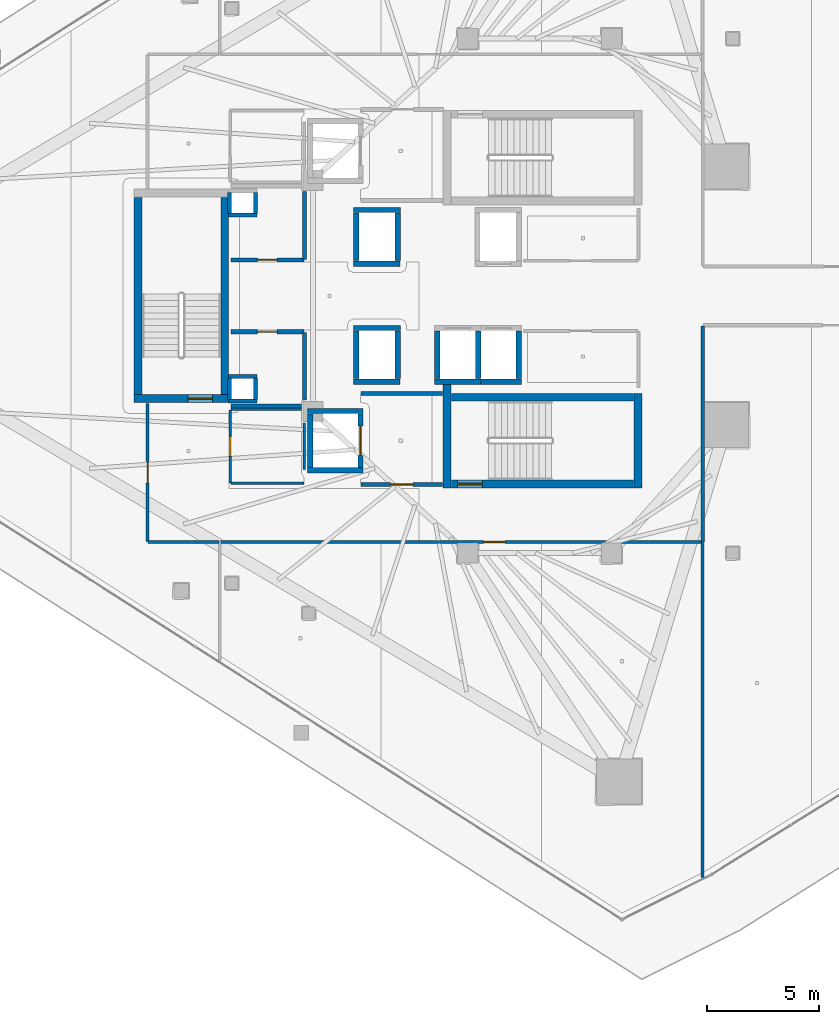
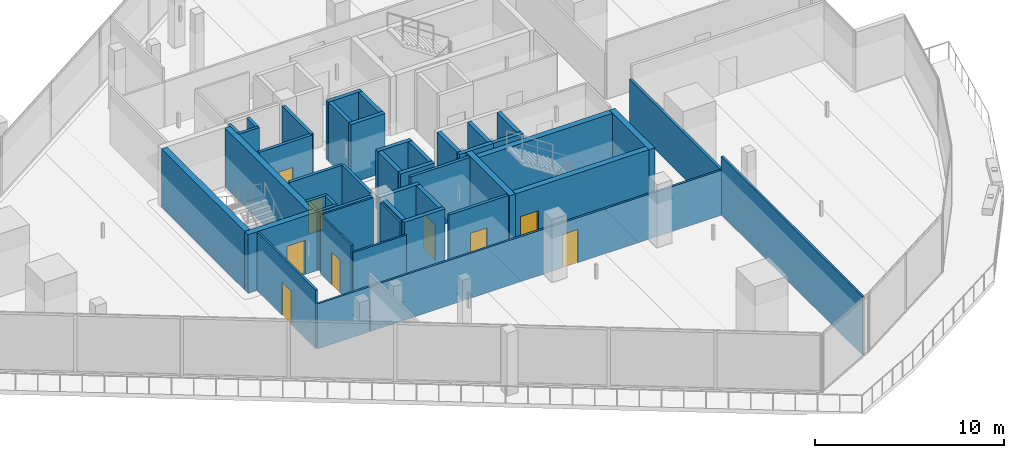
# One storey, part 25 of 36: 47 walls, 9 doors, 9 openings.
"""IFC4 building model written with IfcOpenShell, lengths in metres."""

from ifc_helpers import new_model, si_unit, direction, frame, frame_2d, origin, place, context, subcontext, project, spatial, rectangle, extrude, material, layer, layer_set, type_object, element, fill, save


model = new_model("IFC4")

# Units and contexts
model_context = context("Model", 3, precision=1e-05, world=origin(), true_north=direction((0.0, 1.0)))
body_context = subcontext(model_context, "Body", "Model", "MODEL_VIEW")
ifc_project = project(units=[si_unit("LENGTHUNIT", "METRE"), si_unit("AREAUNIT", "SQUARE_METRE"), si_unit("VOLUMEUNIT", "CUBIC_METRE"), si_unit("PLANEANGLEUNIT", "RADIAN"), si_unit("MASSUNIT", "GRAM", prefix="KILO")], contexts=[model_context])

# Site, building, storey
site_placement = place(None, origin())
site = spatial("IfcSite", under=ifc_project, at=site_placement, CompositionType="ELEMENT")
building_placement = place(site_placement, origin())
building = spatial("IfcBuilding", under=site, at=building_placement, Name="Qorvath Tower", CompositionType="ELEMENT")
storey_placement = place(building_placement, frame((0.0, 0.0, 192.89990234375)))
storey = spatial("IfcBuildingStorey", under=building, at=storey_placement, Name="L44", CompositionType="ELEMENT", Elevation=192.89990234375)

# Walls
ifc_material_1 = material(Name="Gypsum shaftliner on steel studs", Category="steel")
ifc_layer_1 = layer(ifc_material_1, 0.179931640625)
ifc_layer_set_1 = layer_set([ifc_layer_1], Name="FW-LOBBY")
wall_type_1 = type_object("IfcWallType", Name="FW-LOBBY", PredefinedType="PARTITIONING", material=ifc_layer_set_1)
wall_1_placement = place(storey_placement, frame((-32.989990234375, 3.594970703125, 0.0), z_axis=(0.0, 0.0, 1.0), x_axis=(-1.0, 0.0, 0.0)))
element("IfcWall", 1, at=wall_1_placement, inside=storey, type_object=wall_type_1, Name="MEP Riser Shaft Enclosure Wall N-L44-S", PredefinedType="PARTITIONING", context=body_context, shape_type="SweptSolid", body=[
    extrude(rectangle(XDim=1.27001953125, YDim=0.179931640625, at=frame_2d((0.635009765625, 0.0))), origin(), (0.0, 0.0, 1.0), 3.780029296875),
])
for number, where, z_axis, x_axis, name in (
    (2, (-34.205078125, 3.659912109375, 0.0), (0.0, 0.0, 1.0), (0.0, 1.0, 0.0), "MEP Riser Shaft Enclosure Wall N-L44-W"),
    (3, (-33.044921875, 4.610107421875, 0.0), (0.0, 0.0, 1.0), (0.0, -1.0, 0.0), "MEP Riser Shaft Enclosure Wall N-L44-E"),
):
    element("IfcWall", number, at=place(storey_placement, frame(where, z_axis=z_axis, x_axis=x_axis)), inside=storey, type_object=wall_type_1, Name=name, PredefinedType="PARTITIONING", context=body_context, shape_type="SweptSolid", body=[
        extrude(rectangle(XDim=0.9501953125, YDim=0.179931640625, at=frame_2d((0.47509765625, 0.0))), origin(), (0.0, 0.0, 1.0), 3.780029296875),
    ])
for number, where, z_axis, x_axis, name in (
    (4, (-32.989990234375, -4.675048828125, 0.0), (0.0, 0.0, 1.0), (-1.0, 0.0, 0.0), "MEP Riser Shaft Enclosure Wall S-L44-S"),
    (5, (-34.260009765625, -3.594970703125, 0.0), (0.0, 0.0, 1.0), (1.0, 0.0, 0.0), "MEP Riser Shaft Enclosure Wall S-L44-N"),
):
    element("IfcWall", number, at=place(storey_placement, frame(where, z_axis=z_axis, x_axis=x_axis)), inside=storey, type_object=wall_type_1, Name=name, PredefinedType="PARTITIONING", context=body_context, shape_type="SweptSolid", body=[
        extrude(rectangle(XDim=1.27001953125, YDim=0.179931640625, at=frame_2d((0.635009765625, 0.0))), origin(), (0.0, 0.0, 1.0), 3.780029296875),
    ])
for number, where, z_axis, x_axis, name in (
    (6, (-34.205078125, -4.610107421875, 0.0), (0.0, 0.0, 1.0), (0.0, 1.0, 0.0), "MEP Riser Shaft Enclosure Wall S-L44-W"),
    (7, (-33.044921875, -3.659912109375, 0.0), (0.0, 0.0, 1.0), (0.0, -1.0, 0.0), "MEP Riser Shaft Enclosure Wall S-L44-E"),
):
    element("IfcWall", number, at=place(storey_placement, frame(where, z_axis=z_axis, x_axis=x_axis)), inside=storey, type_object=wall_type_1, Name=name, PredefinedType="PARTITIONING", context=body_context, shape_type="SweptSolid", body=[
        extrude(rectangle(XDim=0.9501953125, YDim=0.179931640625, at=frame_2d((0.47509765625, 0.0))), origin(), (0.0, 0.0, 1.0), 3.780029296875),
    ])

# Wall, opening, door
wall_2_placement = place(storey_placement, frame((-28.35498046875, -8.39990234375, 0.0), z_axis=(0.0, 0.0, 1.0), x_axis=(1.0, 0.0, 0.0)))
wall_2 = element("IfcWall", 8, at=wall_2_placement, inside=storey, type_object=wall_type_1, Name="Interior Partition IW-T1-L44-003", PredefinedType="PARTITIONING", context=body_context, shape_type="SweptSolid", body=[
    extrude(rectangle(XDim=3.6220703125, YDim=0.179931640625, at=frame_2d((1.81103515625, 0.0))), origin(), (0.0, 0.0, 1.0), 3.780029296875),
])
opening_1_placement = place(wall_2_placement, frame((1.31103515625, 0.0, 0.0)))
opening_1 = element("IfcOpeningElement", 9, at=opening_1_placement, cuts=wall_2, Name="Opening D-T1-L44-13", PredefinedType="OPENING", context=body_context, shape_type="SweptSolid", body=[
    extrude(rectangle(XDim=1.0, YDim=2.14990234375, at=frame_2d((0.5, 1.074951171875))), frame((0.0, 0.10009765625, 0.0), z_axis=(0.0, -1.0, 0.0), x_axis=(1.0, 0.0, 0.0)), (0.0, 0.0, 1.0), 0.199951171875),
])
ifc_material_2 = material(Name="Painted galvanised hollow metal", Category="steel")
door_type_1 = type_object("IfcDoorType", Name="FD-60", OperationType="NOTDEFINED", PredefinedType="DOOR", material=ifc_material_2)
door_1_placement = place(opening_1_placement, origin())
door_1 = element("IfcDoor", 10, at=door_1_placement, inside=storey, type_object=door_type_1, Name="Lobby Fire Service Elevator South Door D-T1-L44-13", OperationType="SINGLE_SWING_LEFT", OverallHeight=2.14990234375, OverallWidth=1.0, PredefinedType="DOOR", context=body_context, shape_type="SweptSolid", body=[
    extrude(rectangle(XDim=1.0, YDim=2.14990234375, at=frame_2d((0.5, 1.074951171875))), frame((0.0, 0.02490234375, 0.0), z_axis=(0.0, -1.0, 0.0), x_axis=(1.0, 0.0, 0.0)), (0.0, 0.0, 1.0), 0.050048828125),
])
fill(opening_1, door_1)

# Wall
wall_3_placement = place(storey_placement, frame((-24.73291015625, -4.35009765625, 0.0), z_axis=(0.0, 0.0, 1.0), x_axis=(-1.0, 0.0, 0.0)))
element("IfcWall", 11, at=wall_3_placement, inside=storey, type_object=wall_type_1, Name="Interior Partition IW-T1-L44-004", PredefinedType="PARTITIONING", context=body_context, shape_type="SweptSolid", body=[
    extrude(rectangle(XDim=3.6220703125, YDim=0.179931640625, at=frame_2d((1.81103515625, 0.0))), origin(), (0.0, 0.0, 1.0), 3.780029296875),
])

# Wall, opening, door
wall_4_placement = place(storey_placement, frame((-34.15478515625, 1.60009765625, 0.0), z_axis=(0.0, 0.0, 1.0), x_axis=(1.0, 0.0, 0.0)))
wall_4 = element("IfcWall", 12, at=wall_4_placement, inside=storey, type_object=wall_type_1, Name="Interior Partition IW-T1-L44-017", PredefinedType="PARTITIONING", context=body_context, shape_type="SweptSolid", body=[
    extrude(rectangle(XDim=3.25, YDim=0.179931640625, at=frame_2d((1.625, 0.0))), origin(), (0.0, 0.0, 1.0), 3.780029296875),
])
opening_2_placement = place(wall_4_placement, frame((1.18505859375, 0.0, 0.0)))
opening_2 = element("IfcOpeningElement", 13, at=opening_2_placement, cuts=wall_4, Name="Opening D-T1-L44-05", PredefinedType="OPENING", context=body_context, shape_type="SweptSolid", body=[
    extrude(rectangle(XDim=0.8798828125, YDim=2.10009765625, at=frame_2d((0.43994140625, 1.050048828125))), frame((0.0, 0.10009765625, 0.0), z_axis=(0.0, -1.0, 0.0), x_axis=(1.0, 0.0, 0.0)), (0.0, 0.0, 1.0), 0.199951171875),
])
ifc_material_3 = material(Name="Painted galvanised hollow metal", Category="steel")
door_type_2 = type_object("IfcDoorType", Name="FD-60N", OperationType="NOTDEFINED", PredefinedType="DOOR", material=ifc_material_3)
door_2_placement = place(opening_2_placement, origin())
door_2 = element("IfcDoor", 14, at=door_2_placement, inside=storey, type_object=door_type_2, Name="Core cleaner and custodial room L44 Door D-T1-L44-05", OperationType="SINGLE_SWING_LEFT", OverallHeight=2.10009765625, OverallWidth=0.8798828125, PredefinedType="DOOR", context=body_context, shape_type="SweptSolid", body=[
    extrude(rectangle(XDim=0.8798828125, YDim=2.10009765625, at=frame_2d((0.43994140625, 1.050048828125))), frame((0.0, 0.02490234375, 0.0), z_axis=(0.0, -1.0, 0.0), x_axis=(1.0, 0.0, 0.0)), (0.0, 0.0, 1.0), 0.050048828125),
])
fill(opening_2, door_2)

# Walls
wall_5_placement = place(storey_placement, frame((-30.8798828125, 1.625, 0.0), z_axis=(0.0, 0.0, 1.0), x_axis=(0.0, 1.0, 0.0)))
element("IfcWall", 15, at=wall_5_placement, inside=storey, type_object=wall_type_1, Name="Interior Partition IW-T1-L44-018", PredefinedType="PARTITIONING", context=body_context, shape_type="SweptSolid", body=[
    extrude(rectangle(XDim=3.010009765625, YDim=0.179931640625, at=frame_2d((1.5048828125, 0.0))), origin(), (0.0, 0.0, 1.0), 3.780029296875),
])
wall_6_placement = place(storey_placement, frame((-34.15478515625, -4.89990234375, 0.0), z_axis=(0.0, 0.0, 1.0), x_axis=(1.0, 0.0, 0.0)))
element("IfcWall", 16, at=wall_6_placement, inside=storey, type_object=wall_type_1, Name="Interior Partition IW-T1-L44-020", PredefinedType="PARTITIONING", context=body_context, shape_type="SweptSolid", body=[
    extrude(rectangle(XDim=3.139892578125, YDim=0.179931640625, at=frame_2d((1.56982421875, 0.0))), origin(), (0.0, 0.0, 1.0), 3.780029296875),
])
wall_7_placement = place(storey_placement, frame((-30.8798828125, -4.635009765625, 0.0), z_axis=(0.0, 0.0, 1.0), x_axis=(0.0, 1.0, 0.0)))
element("IfcWall", 17, at=wall_7_placement, inside=storey, type_object=wall_type_1, Name="Interior Partition IW-T1-L44-021", PredefinedType="PARTITIONING", context=body_context, shape_type="SweptSolid", body=[
    extrude(rectangle(XDim=3.010009765625, YDim=0.179931640625, at=frame_2d((1.5048828125, 0.0))), origin(), (0.0, 0.0, 1.0), 3.780029296875),
])

# Wall, opening, door
wall_8_placement = place(storey_placement, frame((-30.90478515625, -1.60009765625, 0.0), z_axis=(0.0, 0.0, 1.0), x_axis=(-1.0, 0.0, 0.0)))
wall_8 = element("IfcWall", 18, at=wall_8_placement, inside=storey, type_object=wall_type_1, Name="Interior Partition IW-T1-L44-022", PredefinedType="PARTITIONING", context=body_context, shape_type="SweptSolid", body=[
    extrude(rectangle(XDim=3.25, YDim=0.179931640625, at=frame_2d((1.625, 0.0))), origin(), (0.0, 0.0, 1.0), 3.780029296875),
])
opening_3_placement = place(wall_8_placement, frame((1.18505859375, 0.0, 0.0)))
opening_3 = element("IfcOpeningElement", 19, at=opening_3_placement, cuts=wall_8, Name="Opening D-T1-L44-06", PredefinedType="OPENING", context=body_context, shape_type="SweptSolid", body=[
    extrude(rectangle(XDim=0.8798828125, YDim=2.10009765625, at=frame_2d((0.43994140625, 1.050048828125))), frame((0.0, 0.10009765625, 0.0), z_axis=(0.0, -1.0, 0.0), x_axis=(1.0, 0.0, 0.0)), (0.0, 0.0, 1.0), 0.199951171875),
])
door_3_placement = place(opening_3_placement, origin())
door_3 = element("IfcDoor", 20, at=door_3_placement, inside=storey, type_object=door_type_2, Name="Core electrical room L44 Door D-T1-L44-06", OperationType="SINGLE_SWING_RIGHT", OverallHeight=2.10009765625, OverallWidth=0.8798828125, PredefinedType="DOOR", context=body_context, shape_type="SweptSolid", body=[
    extrude(rectangle(XDim=0.8798828125, YDim=2.10009765625, at=frame_2d((0.43994140625, 1.050048828125))), frame((0.0, 0.02490234375, 0.0), z_axis=(0.0, -1.0, 0.0), x_axis=(1.0, 0.0, 0.0)), (0.0, 0.0, 1.0), 0.050048828125),
])
fill(opening_3, door_3)

# Walls
ifc_material_4 = material(Name="Double acoustic gypsum board on steel studs", Category="steel")
ifc_layer_2 = layer(ifc_material_4, 0.159912109375)
ifc_layer_set_2 = layer_set([ifc_layer_2], Name="IW-ACOUSTIC-160")
wall_type_2 = type_object("IfcWallType", Name="IW-ACOUSTIC-160", PredefinedType="PARTITIONING", material=ifc_layer_set_2)
wall_9_placement = place(storey_placement, frame((-13.14208984375, -1.3330078125, 0.0), z_axis=(0.0, 0.0, 1.0), x_axis=(0.0, -1.0, 0.0)))
element("IfcWall", 21, at=wall_9_placement, inside=storey, type_object=wall_type_2, Name="Interior Partition IW-T1-L44-036", PredefinedType="PARTITIONING", context=body_context, shape_type="SweptSolid", body=[
    extrude(rectangle(XDim=9.625, YDim=0.159912109375, at=frame_2d((4.8125, 0.0))), origin(), (0.0, 0.0, 1.0), 2.89990234375),
])
ifc_material_5 = material(Name="Gypsum board on metal studs with mineral wool", Category="gypsum")
ifc_layer_3 = layer(ifc_material_5, 0.125)
ifc_layer_set_3 = layer_set([ifc_layer_3], Name="IW-PART-125")
wall_type_3 = type_object("IfcWallType", Name="IW-PART-125", PredefinedType="PARTITIONING", material=ifc_layer_set_3)
wall_10_placement = place(storey_placement, frame((-37.8330078125, -10.9580078125, 0.0), z_axis=(0.0, 0.0, 1.0), x_axis=(1.0, 0.0, 0.0)))
element("IfcWall", 22, at=wall_10_placement, inside=storey, type_object=wall_type_3, Name="Interior Partition IW-T1-L44-024", PredefinedType="PARTITIONING", context=body_context, shape_type="SweptSolid", body=[
    extrude(rectangle(XDim=3.158203125, YDim=0.125, at=frame_2d((1.5791015625, 0.0))), origin(), (0.0, 0.0, 1.0), 2.89990234375),
])

# Wall, opening, door
wall_11_placement = place(storey_placement, frame((-37.85791015625, -10.93310546875, 0.0), z_axis=(0.0, 0.0, 1.0), x_axis=(0.0, 1.0, 0.0)))
wall_11 = element("IfcWall", 23, at=wall_11_placement, inside=storey, type_object=wall_type_3, Name="Interior Partition IW-T1-L44-025", PredefinedType="PARTITIONING", context=body_context, shape_type="SweptSolid", body=[
    extrude(rectangle(XDim=6.14990234375, YDim=0.125, at=frame_2d((3.074951171875, 0.0))), origin(), (0.0, 0.0, 1.0), 3.780029296875),
])
opening_4_placement = place(wall_11_placement, frame((2.599853515625, 0.0, 0.0)))
opening_4 = element("IfcOpeningElement", 24, at=opening_4_placement, cuts=wall_11, Name="Opening D-T1-L44-07", PredefinedType="OPENING", context=body_context, shape_type="SweptSolid", body=[
    extrude(rectangle(XDim=0.949951171875, YDim=2.14990234375, at=frame_2d((0.47509765625, 1.074951171875))), frame((0.0, 0.072509765625, 0.0), z_axis=(0.0, -1.0, 0.0), x_axis=(1.0, 0.0, 0.0)), (0.0, 0.0, 1.0), 0.14501953125),
])
ifc_material_6 = material(Name="Solid-core American white oak veneer", Category="wood")
door_type_3 = type_object("IfcDoorType", Name="D-01", OperationType="NOTDEFINED", PredefinedType="DOOR", material=ifc_material_6)
door_4_placement = place(opening_4_placement, origin())
door_4 = element("IfcDoor", 25, at=door_4_placement, inside=storey, type_object=door_type_3, Name="L44-01 Open Workplace Studio Door D-T1-L44-07", OperationType="SINGLE_SWING_LEFT", OverallHeight=2.14990234375, OverallWidth=0.949951171875, PredefinedType="DOOR", context=body_context, shape_type="SweptSolid", body=[
    extrude(rectangle(XDim=0.949951171875, YDim=2.14990234375, at=frame_2d((0.47509765625, 1.074951171875))), frame((0.0, 0.02490234375, 0.0), z_axis=(0.0, -1.0, 0.0), x_axis=(1.0, 0.0, 0.0)), (0.0, 0.0, 1.0), 0.050048828125),
])
fill(opening_4, door_4)

# Wall
wall_12_placement = place(storey_placement, frame((-13.14990234375, -25.89453125, 0.0), z_axis=(0.0, 0.0, 1.0), x_axis=(0.0, 1.0, 0.0)))
element("IfcWall", 26, at=wall_12_placement, inside=storey, type_object=wall_type_3, Name="Interior Partition IW-T1-L44-031", PredefinedType="PARTITIONING", context=body_context, shape_type="SweptSolid", body=[
    extrude(rectangle(XDim=14.91162109375, YDim=0.125, at=frame_2d((7.455810546875, 0.0))), origin(), (0.0, 0.0, 1.0), 3.780029296875),
])

# Wall, opening, door
wall_13_placement = place(storey_placement, frame((-13.1748046875, -10.9580078125, 0.0), z_axis=(0.0, 0.0, 1.0), x_axis=(-1.0, 0.0, 0.0)))
wall_13 = element("IfcWall", 27, at=wall_13_placement, inside=storey, type_object=wall_type_3, Name="Interior Partition IW-T1-L44-032", PredefinedType="PARTITIONING", context=body_context, shape_type="SweptSolid", body=[
    extrude(rectangle(XDim=21.4423828125, YDim=0.125, at=frame_2d((10.72119140625, 0.0))), origin(), (0.0, 0.0, 1.0), 2.89990234375),
])
opening_5_placement = place(wall_13_placement, frame((8.782470703125, 0.0, 0.0)))
opening_5 = element("IfcOpeningElement", 28, at=opening_5_placement, cuts=wall_13, Name="Opening D-T1-L44-09", PredefinedType="OPENING", context=body_context, shape_type="SweptSolid", body=[
    extrude(rectangle(XDim=0.949951171875, YDim=2.14990234375, at=frame_2d((0.47509765625, 1.074951171875))), frame((0.0, 0.072509765625, 0.0), z_axis=(0.0, -1.0, 0.0), x_axis=(1.0, 0.0, 0.0)), (0.0, 0.0, 1.0), 0.14501953125),
])
door_5_placement = place(opening_5_placement, origin())
door_5 = element("IfcDoor", 29, at=door_5_placement, inside=storey, type_object=door_type_3, Name="L44-03 Engineering Documentation Suite Door D-T1-L44-09", OperationType="SINGLE_SWING_LEFT", OverallHeight=2.14990234375, OverallWidth=0.949951171875, PredefinedType="DOOR", context=body_context, shape_type="SweptSolid", body=[
    extrude(rectangle(XDim=0.949951171875, YDim=2.14990234375, at=frame_2d((0.47509765625, 1.074951171875))), frame((0.0, 0.02490234375, 0.0), z_axis=(0.0, -1.0, 0.0), x_axis=(1.0, 0.0, 0.0)), (0.0, 0.0, 1.0), 0.050048828125),
])
fill(opening_5, door_5)

# Walls
ifc_material_7 = material(Name="Moisture-resistant cement board on metal studs", Category="gypsum")
ifc_layer_4 = layer(ifc_material_7, 0.110107421875)
ifc_layer_set_4 = layer_set([ifc_layer_4], Name="IW-WC-110")
wall_type_4 = type_object("IfcWallType", Name="IW-WC-110", PredefinedType="PARTITIONING", material=ifc_layer_set_4)
wall_14_placement = place(storey_placement, frame((-34.15478515625, -8.35009765625, 0.0), z_axis=(0.0, 0.0, 1.0), x_axis=(1.0, 0.0, 0.0)))
element("IfcWall", 30, at=wall_14_placement, inside=storey, type_object=wall_type_4, Name="Interior Partition IW-T1-L44-009", PredefinedType="PARTITIONING", context=body_context, shape_type="SweptSolid", body=[
    extrude(rectangle(XDim=3.25, YDim=0.110107421875, at=frame_2d((1.625, 0.0))), origin(), (0.0, 0.0, 1.0), 3.34375),
])
wall_15_placement = place(storey_placement, frame((-30.8798828125, -7.742919921875, 0.0), z_axis=(0.0, 0.0, 1.0), x_axis=(0.0, 1.0, 0.0)))
element("IfcWall", 31, at=wall_15_placement, inside=storey, type_object=wall_type_4, Name="Interior Partition IW-T1-L44-010", PredefinedType="PARTITIONING", context=body_context, shape_type="SweptSolid", body=[
    extrude(rectangle(XDim=2.077880859375, YDim=0.110107421875, at=frame_2d((1.0390625, 0.0))), origin(), (0.0, 0.0, 1.0), 3.780029296875),
])
wall_16_placement = place(storey_placement, frame((-31.014892578125, -5.050048828125, 0.0), z_axis=(0.0, 0.0, 1.0), x_axis=(-1.0, 0.0, 0.0)))
element("IfcWall", 32, at=wall_16_placement, inside=storey, type_object=wall_type_4, Name="Interior Partition IW-T1-L44-011", PredefinedType="PARTITIONING", context=body_context, shape_type="SweptSolid", body=[
    extrude(rectangle(XDim=3.139892578125, YDim=0.110107421875, at=frame_2d((1.56982421875, 0.0))), origin(), (0.0, 0.0, 1.0), 3.780029296875),
])

# Wall, opening, door
wall_17_placement = place(storey_placement, frame((-34.179931640625, -5.074951171875, 0.0), z_axis=(0.0, 0.0, 1.0), x_axis=(0.0, -1.0, 0.0)))
wall_17 = element("IfcWall", 33, at=wall_17_placement, inside=storey, type_object=wall_type_4, Name="Interior Partition IW-T1-L44-012", PredefinedType="PARTITIONING", context=body_context, shape_type="SweptSolid", body=[
    extrude(rectangle(XDim=3.250244140625, YDim=0.110107421875, at=frame_2d((1.625, 0.0))), origin(), (0.0, 0.0, 1.0), 3.780029296875),
])
opening_6_placement = place(wall_17_placement, frame((1.18505859375, 0.0, 0.0)))
opening_6 = element("IfcOpeningElement", 34, at=opening_6_placement, cuts=wall_17, Name="Opening D-T1-L44-02", PredefinedType="OPENING", context=body_context, shape_type="SweptSolid", body=[
    extrude(rectangle(XDim=0.8798828125, YDim=2.10009765625, at=frame_2d((0.43994140625, 1.050048828125))), frame((0.0, 0.06494140625, 0.0), z_axis=(0.0, -1.0, 0.0), x_axis=(1.0, 0.0, 0.0)), (0.0, 0.0, 1.0), 0.130126953125),
])
ifc_material_8 = material(Name="Solid-core oak with acoustic drop seal", Category="wood")
door_type_4 = type_object("IfcDoorType", Name="D-02", OperationType="NOTDEFINED", PredefinedType="DOOR", material=ifc_material_8)
door_6_placement = place(opening_6_placement, origin())
door_6 = element("IfcDoor", 35, at=door_6_placement, inside=storey, type_object=door_type_4, Name="Accessible WC South L44 Door D-T1-L44-02", OperationType="SINGLE_SWING_RIGHT", OverallHeight=2.10009765625, OverallWidth=0.8798828125, PredefinedType="DOOR", context=body_context, shape_type="SweptSolid", body=[
    extrude(rectangle(XDim=0.8798828125, YDim=2.10009765625, at=frame_2d((0.43994140625, 1.050048828125))), frame((0.0, 0.02490234375, 0.0), z_axis=(0.0, -1.0, 0.0), x_axis=(1.0, 0.0, 0.0)), (0.0, 0.0, 1.0), 0.050048828125),
])
fill(opening_6, door_6)

# Walls
ifc_material_9 = material(Name="Concrete C60/75", Category="concrete")
ifc_layer_5 = layer(ifc_material_9, 0.260009765625)
ifc_layer_set_5 = layer_set([ifc_layer_5], Name="SW-SHAFT")
wall_type_5 = type_object("IfcWallType", Name="SW-SHAFT", PredefinedType="SHEAR", material=ifc_layer_set_5)
for number, where, z_axis, x_axis, name in (
    (36, (-28.260009765625, -7.77001953125, 0.0), (0.0, 0.0, 1.0), (-1.0, 0.0, 0.0), "Hoistway Wall FSAE-2 L44 S"),
    (37, (-30.739990234375, -5.1298828125, 0.0), (0.0, 0.0, 1.0), (1.0, 0.0, 0.0), "Hoistway Wall FSAE-2 L44 N"),
):
    element("IfcWall", number, at=place(storey_placement, frame(where, z_axis=z_axis, x_axis=x_axis)), inside=storey, type_object=wall_type_5, Name=name, PredefinedType="SHEAR", context=body_context, shape_type="SweptSolid", body=[
        extrude(rectangle(XDim=2.47998046875, YDim=0.239990234375, at=frame_2d((1.239990234375, 0.0))), origin(), (0.0, 0.0, 1.0), 3.780029296875),
    ])
wall_18_placement = place(storey_placement, frame((-30.6201171875, -7.637939453125, 0.0), z_axis=(0.0, 0.0, 1.0), x_axis=(0.0, 1.0, 0.0)))
element("IfcWall", 38, at=wall_18_placement, inside=storey, type_object=wall_type_5, Name="Hoistway Wall FSAE-2 L44 W", PredefinedType="SHEAR", context=body_context, shape_type="SweptSolid", body=[
    extrude(rectangle(XDim=2.3759765625, YDim=0.239990234375, at=frame_2d((1.18798828125, 0.0))), origin(), (0.0, 0.0, 1.0), 3.780029296875),
])

# Wall, opening, door
wall_19_placement = place(storey_placement, frame((-28.3798828125, -5.261962890625, 0.0), z_axis=(0.0, 0.0, 1.0), x_axis=(0.0, -1.0, 0.0)))
wall_19 = element("IfcWall", 39, at=wall_19_placement, inside=storey, type_object=wall_type_5, Name="Hoistway Wall FSAE-2 L44 E", PredefinedType="SHEAR", context=body_context, shape_type="SweptSolid", body=[
    extrude(rectangle(XDim=2.3759765625, YDim=0.239990234375, at=frame_2d((1.18798828125, 0.0))), origin(), (0.0, 0.0, 1.0), 3.780029296875),
])
opening_7_placement = place(wall_19_placement, frame((0.5380859375, 0.0, 0.0)))
opening_7 = element("IfcOpeningElement", 40, at=opening_7_placement, cuts=wall_19, Name="Opening LD-FSAE-2-L44", PredefinedType="OPENING", context=body_context, shape_type="SweptSolid", body=[
    extrude(rectangle(XDim=1.300048828125, YDim=2.300048828125, at=frame_2d((0.64990234375, 1.14990234375))), frame((0.0, 0.1298828125, 0.0), z_axis=(0.0, -1.0, 0.0), x_axis=(1.0, 0.0, 0.0)), (0.0, 0.0, 1.0), 0.260009765625),
])
ifc_material_10 = material(Name="Brushed stainless steel AISI 316", Category="steel")
door_type_5 = type_object("IfcDoorType", Name="LD-02", OperationType="NOTDEFINED", PredefinedType="DOOR", material=ifc_material_10)
door_7_placement = place(opening_7_placement, origin())
door_7 = element("IfcDoor", 41, at=door_7_placement, inside=storey, type_object=door_type_5, Name="Elevator Landing Sliding Door LD-FSAE-2-L44", OperationType="DOUBLE_DOOR_SLIDING", OverallHeight=2.300048828125, OverallWidth=1.300048828125, PredefinedType="DOOR", context=body_context, shape_type="SweptSolid", body=[
    extrude(rectangle(XDim=1.300048828125, YDim=2.300048828125, at=frame_2d((0.64990234375, 1.14990234375))), frame((0.0, 0.02490234375, 0.0), z_axis=(0.0, -1.0, 0.0), x_axis=(1.0, 0.0, 0.0)), (0.0, 0.0, 1.0), 0.050048828125),
])
fill(opening_7, door_7)

# Walls
for number, where, z_axis, x_axis, name in (
    (42, (-26.610107421875, 1.429931640625, 0.0), (0.0, 0.0, 1.0), (-1.0, 0.0, 0.0), "Hoistway Wall PS-1 L44 S"),
    (43, (-28.68994140625, 3.820068359375, 0.0), (0.0, 0.0, 1.0), (1.0, 0.0, 0.0), "Hoistway Wall PS-1 L44 N"),
):
    element("IfcWall", number, at=place(storey_placement, frame(where, z_axis=z_axis, x_axis=x_axis)), inside=storey, type_object=wall_type_5, Name=name, PredefinedType="SHEAR", context=body_context, shape_type="SweptSolid", body=[
        extrude(rectangle(XDim=2.079833984375, YDim=0.239990234375, at=frame_2d((1.0400390625, 0.0))), origin(), (0.0, 0.0, 1.0), 3.780029296875),
    ])
for number, where, z_axis, x_axis, name in (
    (44, (-28.570068359375, 1.56201171875, 0.0), (0.0, 0.0, 1.0), (0.0, 1.0, 0.0), "Hoistway Wall PS-1 L44 W"),
    (45, (-26.72998046875, 3.68798828125, 0.0), (0.0, 0.0, 1.0), (0.0, -1.0, 0.0), "Hoistway Wall PS-1 L44 E"),
):
    element("IfcWall", number, at=place(storey_placement, frame(where, z_axis=z_axis, x_axis=x_axis)), inside=storey, type_object=wall_type_5, Name=name, PredefinedType="SHEAR", context=body_context, shape_type="SweptSolid", body=[
        extrude(rectangle(XDim=2.1259765625, YDim=0.239990234375, at=frame_2d((1.06298828125, 0.0))), origin(), (0.0, 0.0, 1.0), 3.780029296875),
    ])
for number, where, z_axis, x_axis, name in (
    (46, (-26.610107421875, -3.820068359375, 0.0), (0.0, 0.0, 1.0), (-1.0, 0.0, 0.0), "Hoistway Wall PS-2 L44 S"),
    (47, (-28.68994140625, -1.429931640625, 0.0), (0.0, 0.0, 1.0), (1.0, 0.0, 0.0), "Hoistway Wall PS-2 L44 N"),
):
    element("IfcWall", number, at=place(storey_placement, frame(where, z_axis=z_axis, x_axis=x_axis)), inside=storey, type_object=wall_type_5, Name=name, PredefinedType="SHEAR", context=body_context, shape_type="SweptSolid", body=[
        extrude(rectangle(XDim=2.079833984375, YDim=0.239990234375, at=frame_2d((1.0400390625, 0.0))), origin(), (0.0, 0.0, 1.0), 3.780029296875),
    ])
for number, where, z_axis, x_axis, name in (
    (48, (-28.570068359375, -3.68798828125, 0.0), (0.0, 0.0, 1.0), (0.0, 1.0, 0.0), "Hoistway Wall PS-2 L44 W"),
    (49, (-26.72998046875, -1.56201171875, 0.0), (0.0, 0.0, 1.0), (0.0, -1.0, 0.0), "Hoistway Wall PS-2 L44 E"),
):
    element("IfcWall", number, at=place(storey_placement, frame(where, z_axis=z_axis, x_axis=x_axis)), inside=storey, type_object=wall_type_5, Name=name, PredefinedType="SHEAR", context=body_context, shape_type="SweptSolid", body=[
        extrude(rectangle(XDim=2.1259765625, YDim=0.239990234375, at=frame_2d((1.06298828125, 0.0))), origin(), (0.0, 0.0, 1.0), 3.780029296875),
    ])
wall_20_placement = place(storey_placement, frame((-23.010009765625, -3.820068359375, 0.0), z_axis=(0.0, 0.0, 1.0), x_axis=(-1.0, 0.0, 0.0)))
element("IfcWall", 50, at=wall_20_placement, inside=storey, type_object=wall_type_5, Name="Hoistway Wall PU-2 L44 S", PredefinedType="SHEAR", context=body_context, shape_type="SweptSolid", body=[
    extrude(rectangle(XDim=2.080078125, YDim=0.239990234375, at=frame_2d((1.0400390625, 0.0))), origin(), (0.0, 0.0, 1.0), 3.780029296875),
])
for number, where, z_axis, x_axis, name in (
    (51, (-24.969970703125, -3.68798828125, 0.0), (0.0, 0.0, 1.0), (0.0, 1.0, 0.0), "Hoistway Wall PU-2 L44 W"),
    (52, (-23.1298828125, -1.56201171875, 0.0), (0.0, 0.0, 1.0), (0.0, -1.0, 0.0), "Hoistway Wall PU-2 L44 E"),
):
    element("IfcWall", number, at=place(storey_placement, frame(where, z_axis=z_axis, x_axis=x_axis)), inside=storey, type_object=wall_type_5, Name=name, PredefinedType="SHEAR", context=body_context, shape_type="SweptSolid", body=[
        extrude(rectangle(XDim=2.1259765625, YDim=0.239990234375, at=frame_2d((1.06298828125, 0.0))), origin(), (0.0, 0.0, 1.0), 3.780029296875),
    ])
wall_21_placement = place(storey_placement, frame((-21.2099609375, -3.820068359375, 0.0), z_axis=(0.0, 0.0, 1.0), x_axis=(-1.0, 0.0, 0.0)))
element("IfcWall", 53, at=wall_21_placement, inside=storey, type_object=wall_type_5, Name="Hoistway Wall PU-3 L44 S", PredefinedType="SHEAR", context=body_context, shape_type="SweptSolid", body=[
    extrude(rectangle(XDim=1.800048828125, YDim=0.239990234375, at=frame_2d((0.89990234375, 0.0))), origin(), (0.0, 0.0, 1.0), 3.780029296875),
])
wall_22_placement = place(storey_placement, frame((-21.330078125, -1.56201171875, 0.0), z_axis=(0.0, 0.0, 1.0), x_axis=(0.0, -1.0, 0.0)))
element("IfcWall", 54, at=wall_22_placement, inside=storey, type_object=wall_type_5, Name="Hoistway Wall PU-3 L44 E", PredefinedType="SHEAR", context=body_context, shape_type="SweptSolid", body=[
    extrude(rectangle(XDim=2.1259765625, YDim=0.239990234375, at=frame_2d((1.06298828125, 0.0))), origin(), (0.0, 0.0, 1.0), 3.780029296875),
])
ifc_material_11 = material(Name="Concrete C60/75", Category="concrete")
ifc_layer_6 = layer(ifc_material_11, 0.35009765625)
ifc_layer_set_6 = layer_set([ifc_layer_6], Name="SW-STAIR")
wall_type_6 = type_object("IfcWallType", Name="SW-STAIR", PredefinedType="SHEAR", material=ifc_layer_set_6)
wall_23_placement = place(storey_placement, frame((-24.52490234375, -3.93994140625, 0.0), z_axis=(0.0, 0.0, 1.0), x_axis=(0.0, -1.0, 0.0)))
element("IfcWall", 55, at=wall_23_placement, inside=storey, type_object=wall_type_6, Name="Stair TS2 Shear Wall L44 NEAR", PredefinedType="SHEAR", context=body_context, shape_type="SweptSolid", body=[
    extrude(rectangle(XDim=4.610107421875, YDim=0.35009765625, at=frame_2d((2.30517578125, 0.0))), origin(), (0.0, 0.0, 1.0), 3.780029296875),
])
wall_24_placement = place(storey_placement, frame((-16.02490234375, -8.550048828125, 0.0), z_axis=(0.0, 0.0, 1.0), x_axis=(0.0, 1.0, 0.0)))
element("IfcWall", 56, at=wall_24_placement, inside=storey, type_object=wall_type_6, Name="Stair TS2 Shear Wall L44 FAR", PredefinedType="SHEAR", context=body_context, shape_type="SweptSolid", body=[
    extrude(rectangle(XDim=4.2099609375, YDim=0.35009765625, at=frame_2d((2.10498046875, 0.0))), origin(), (0.0, 0.0, 1.0), 3.780029296875),
])

# Wall, opening, door
wall_25_placement = place(storey_placement, frame((-24.3349609375, -8.375, 0.0), z_axis=(0.0, 0.0, 1.0), x_axis=(1.0, 0.0, 0.0)))
wall_25 = element("IfcWall", 57, at=wall_25_placement, inside=storey, type_object=wall_type_6, Name="Stair TS2 Shear Wall L44 LEFT", PredefinedType="SHEAR", context=body_context, shape_type="SweptSolid", body=[
    extrude(rectangle(XDim=8.119873046875, YDim=0.35009765625, at=frame_2d((4.06005859375, 0.0))), origin(), (0.0, 0.0, 1.0), 3.780029296875),
])
opening_8_placement = place(wall_25_placement, frame((0.280029296875, 0.0, 0.0)))
opening_8 = element("IfcOpeningElement", 58, at=opening_8_placement, cuts=wall_25, Name="Opening D-TS2-L44", PredefinedType="OPENING", context=body_context, shape_type="SweptSolid", body=[
    extrude(rectangle(XDim=1.10009765625, YDim=2.199951171875, at=frame_2d((0.550048828125, 1.10009765625))), frame((0.0, 0.18505859375, 0.0), z_axis=(0.0, -1.0, 0.0), x_axis=(1.0, 0.0, 0.0)), (0.0, 0.0, 1.0), 0.3701171875),
])
ifc_material_12 = material(Name="Painted galvanised hollow metal", Category="steel")
door_type_6 = type_object("IfcDoorType", Name="FD-90", OperationType="NOTDEFINED", PredefinedType="DOOR", material=ifc_material_12)
door_8_placement = place(opening_8_placement, origin())
door_8 = element("IfcDoor", 59, at=door_8_placement, inside=storey, type_object=door_type_6, Name="Stair TS2 Fire Door L44", OperationType="SINGLE_SWING_LEFT", OverallHeight=2.199951171875, OverallWidth=1.10009765625, PredefinedType="DOOR", context=body_context, shape_type="SweptSolid", body=[
    extrude(rectangle(XDim=1.10009765625, YDim=2.199951171875, at=frame_2d((0.550048828125, 1.10009765625))), frame((0.0, 0.02490234375, 0.0), z_axis=(0.0, -1.0, 0.0), x_axis=(1.0, 0.0, 0.0)), (0.0, 0.0, 1.0), 0.050048828125),
])
fill(opening_8, door_8)

# Wall
wall_26_placement = place(storey_placement, frame((-16.215087890625, -4.514892578125, 0.0), z_axis=(0.0, 0.0, 1.0), x_axis=(-1.0, 0.0, 0.0)))
element("IfcWall", 60, at=wall_26_placement, inside=storey, type_object=wall_type_6, Name="Stair TS2 Shear Wall L44 RIGHT", PredefinedType="SHEAR", context=body_context, shape_type="SweptSolid", body=[
    extrude(rectangle(XDim=8.119873046875, YDim=0.35009765625, at=frame_2d((4.06005859375, 0.0))), origin(), (0.0, 0.0, 1.0), 3.780029296875),
])

# Wall, opening, door
wall_27_placement = place(storey_placement, frame((-38.4599609375, -4.574951171875, 0.0), z_axis=(0.0, 0.0, 1.0), x_axis=(1.0, 0.0, 0.0)))
wall_27 = element("IfcWall", 61, at=wall_27_placement, inside=storey, type_object=wall_type_6, Name="Stair TS3 Shear Wall L44 NEAR", PredefinedType="SHEAR", context=body_context, shape_type="SweptSolid", body=[
    extrude(rectangle(XDim=4.2099609375, YDim=0.35009765625, at=frame_2d((2.10498046875, 0.0))), origin(), (0.0, 0.0, 1.0), 3.780029296875),
])
opening_9_placement = place(wall_27_placement, frame((2.389892578125, 0.0, 0.0)))
opening_9 = element("IfcOpeningElement", 62, at=opening_9_placement, cuts=wall_27, Name="Opening D-TS3-L44", PredefinedType="OPENING", context=body_context, shape_type="SweptSolid", body=[
    extrude(rectangle(XDim=1.10009765625, YDim=2.199951171875, at=frame_2d((0.550048828125, 1.10009765625))), frame((0.0, 0.18505859375, 0.0), z_axis=(0.0, -1.0, 0.0), x_axis=(1.0, 0.0, 0.0)), (0.0, 0.0, 1.0), 0.3701171875),
])
door_9_placement = place(opening_9_placement, origin())
door_9 = element("IfcDoor", 63, at=door_9_placement, inside=storey, type_object=door_type_6, Name="Stair TS3 Fire Door L44", OperationType="SINGLE_SWING_LEFT", OverallHeight=2.199951171875, OverallWidth=1.10009765625, PredefinedType="DOOR", context=body_context, shape_type="SweptSolid", body=[
    extrude(rectangle(XDim=1.10009765625, YDim=2.199951171875, at=frame_2d((0.550048828125, 1.10009765625))), frame((0.0, 0.02490234375, 0.0), z_axis=(0.0, -1.0, 0.0), x_axis=(1.0, 0.0, 0.0)), (0.0, 0.0, 1.0), 0.050048828125),
])
fill(opening_9, door_9)

# Walls
for number, where, z_axis, x_axis, name in (
    (64, (-34.425048828125, -4.385009765625, 0.0), (0.0, 0.0, 1.0), (0.0, 1.0, 0.0), "Stair TS3 Shear Wall L44 LEFT"),
    (65, (-38.284912109375, 4.385009765625, 0.0), (0.0, 0.0, 1.0), (0.0, -1.0, 0.0), "Stair TS3 Shear Wall L44 RIGHT"),
):
    element("IfcWall", number, at=place(storey_placement, frame(where, z_axis=z_axis, x_axis=x_axis)), inside=storey, type_object=wall_type_6, Name=name, PredefinedType="SHEAR", context=body_context, shape_type="SweptSolid", body=[
        extrude(rectangle(XDim=8.77001953125, YDim=0.35009765625, at=frame_2d((4.385009765625, 0.0))), origin(), (0.0, 0.0, 1.0), 3.780029296875),
    ])

save(model, "model.ifc")
